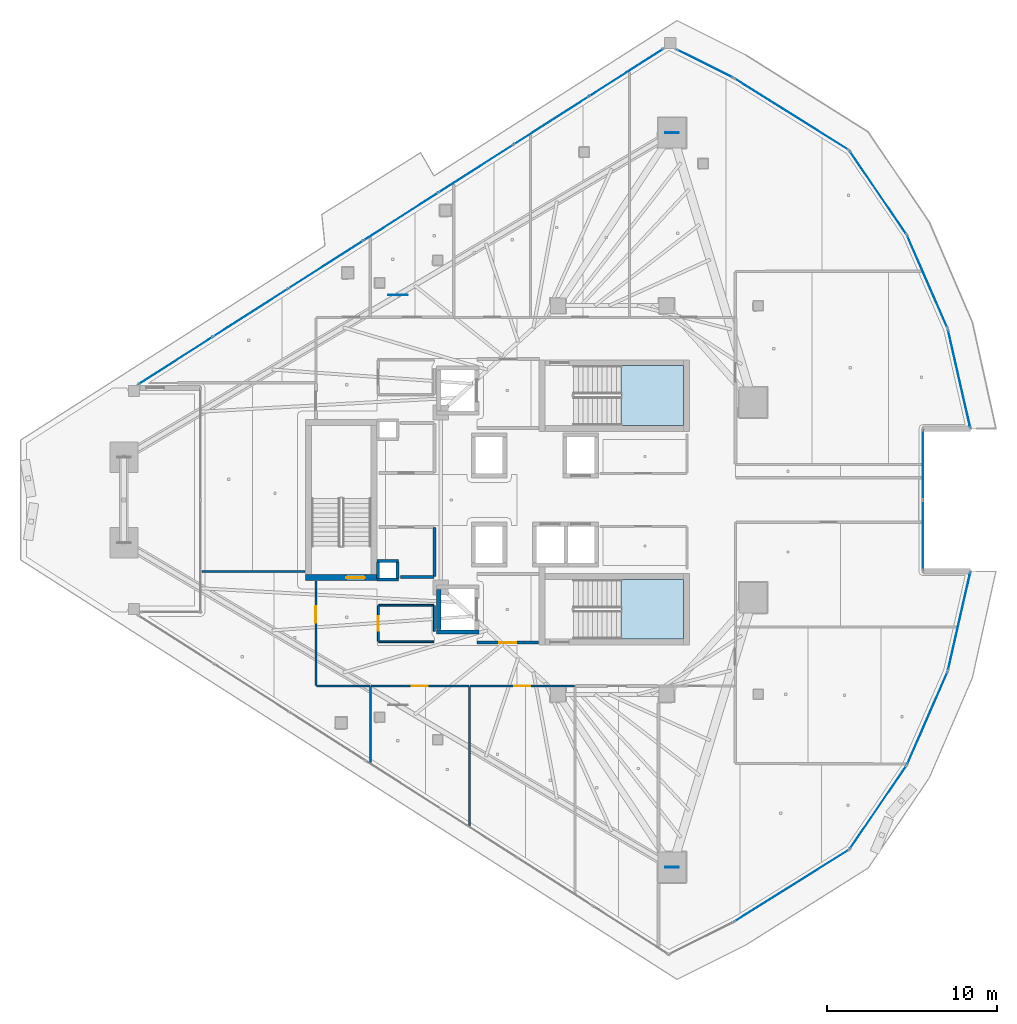
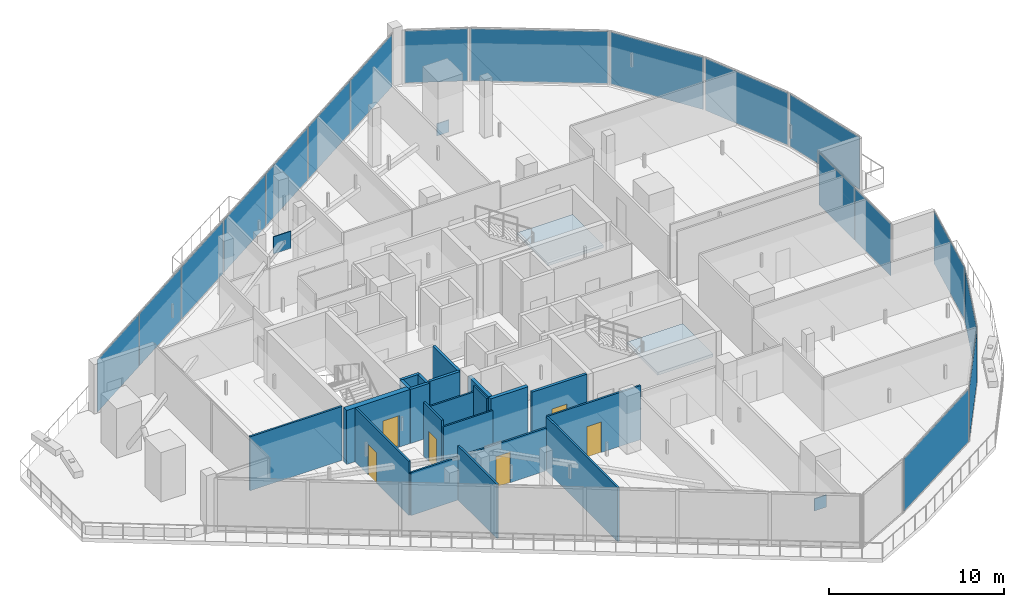
# One storey, part 28 of 40: 21 plates, 21 walls, 6 doors, 2 slabs, 6 openings, 13 elements without a shape of their own.
"""IFC4 building model written with IfcOpenShell, lengths in metres."""

from ifc_helpers import new_model, si_unit, direction, frame, frame_2d, origin, origin_2d, place, context, subcontext, project, spatial, polyline, rectangle, outline, extrude, material, layer, layer_set, type_object, element, fill, aggregate, save


model = new_model("IFC4")

# Units and contexts
model_context = context("Model", 3, precision=1e-05, world=origin(), true_north=direction((0.0, 1.0)))
body_context = subcontext(model_context, "Body", "Model", "MODEL_VIEW")
ifc_project = project(units=[si_unit("LENGTHUNIT", "METRE"), si_unit("AREAUNIT", "SQUARE_METRE"), si_unit("VOLUMEUNIT", "CUBIC_METRE"), si_unit("PLANEANGLEUNIT", "RADIAN"), si_unit("MASSUNIT", "GRAM", prefix="KILO")], contexts=[model_context])

# Site, building, storey
site_placement = place(None, origin())
site = spatial("IfcSite", under=ifc_project, at=site_placement, CompositionType="ELEMENT")
building_placement = place(site_placement, origin())
building = spatial("IfcBuilding", under=site, at=building_placement, Name="Qorvath Tower", CompositionType="ELEMENT")
storey_placement = place(building_placement, frame((0.0, 0.0, 225.300048828125)))
storey = spatial("IfcBuildingStorey", under=building, at=storey_placement, Name="L52", CompositionType="ELEMENT", Elevation=225.300048828125)

# Curtain wall, plate
ifc_material_1 = material(Name="Anodised aluminium and triple low-E glass", Category="aluminium")
ifc_layer_1 = layer(ifc_material_1, 0.179931640625)
ifc_layer_set_1 = layer_set([ifc_layer_1], Name="CW-SYS-5")
curtain_wall_type = type_object("IfcCurtainWallType", Name="CW-SYS-5", PredefinedType="NOTDEFINED", material=ifc_layer_set_1)
curtain_wall_1_placement = place(storey_placement, origin())
curtain_wall_1 = element("IfcCurtainWall", 1, at=curtain_wall_1_placement, inside=storey, type_object=curtain_wall_type, Name="Curtain Wall CW-5 CW-T-L52-6.1", PredefinedType="NOTDEFINED")
ifc_material_2 = material(Name="Low-E triple insulated glass", Category="glass")
ifc_layer_2 = layer(ifc_material_2, 0.031982421875)
ifc_layer_set_2 = layer_set([ifc_layer_2], Name="CWP-GLZ-32")
plate_type_1 = type_object("IfcPlateType", Name="CWP-GLZ-32", PredefinedType="CURTAIN_PANEL", material=ifc_layer_set_2)
plate_1_placement = place(storey_placement, frame((-9.841064453125, -22.728759765625, 0.06494140625), z_axis=(0.0, 0.0, 1.0), x_axis=(0.84765657487, 0.530545314822, 0.0)))
plate_1 = element("IfcPlate", 2, at=plate_1_placement, type_object=plate_type_1, Name="CW-5 panel 1.1", PredefinedType="CURTAIN_PANEL", context=body_context, shape_type="SweptSolid", body=[
    extrude(rectangle(XDim=7.893310546875, YDim=0.031982421875, at=origin_2d()), origin(), (0.0, 0.0, 1.0), 3.650146484375),
])
aggregate(curtain_wall_1, [plate_1])

curtain_wall_2_placement = place(storey_placement, origin())
curtain_wall_2 = element("IfcCurtainWall", 3, at=curtain_wall_2_placement, inside=storey, type_object=curtain_wall_type, Name="Curtain Wall CW-5 CW-T-L52-7.1", PredefinedType="NOTDEFINED")
plate_2_placement = place(storey_placement, frame((-4.73388671875, -18.10205078125, 0.06494140625), z_axis=(0.0, 0.0, 1.0), x_axis=(0.56295049099, 0.826490619847, 0.0)))
plate_2 = element("IfcPlate", 4, at=plate_2_placement, type_object=plate_type_1, Name="CW-5 panel 1.1", PredefinedType="CURTAIN_PANEL", context=body_context, shape_type="SweptSolid", body=[
    extrude(rectangle(XDim=5.8828125, YDim=0.031982421875, at=origin_2d()), origin(), (0.0, 0.0, 1.0), 3.650146484375),
])
aggregate(curtain_wall_2, [plate_2])

curtain_wall_3_placement = place(storey_placement, origin())
curtain_wall_3 = element("IfcCurtainWall", 5, at=curtain_wall_3_placement, inside=storey, type_object=curtain_wall_type, Name="Curtain Wall CW-5 CW-T-L52-8.1", PredefinedType="NOTDEFINED")
plate_3_placement = place(storey_placement, frame((-1.831298828125, -12.843505859375, 0.06494140625), z_axis=(0.0, 0.0, 1.0), x_axis=(0.399381828243, 0.916784683156, 0.0)))
plate_3 = element("IfcPlate", 6, at=plate_3_placement, type_object=plate_type_1, Name="CW-5 panel 1.1", PredefinedType="CURTAIN_PANEL", context=body_context, shape_type="SweptSolid", body=[
    extrude(rectangle(XDim=5.8828125, YDim=0.031982421875, at=origin_2d()), origin(), (0.0, 0.0, 1.0), 3.650146484375),
])
aggregate(curtain_wall_3, [plate_3])

curtain_wall_4_placement = place(storey_placement, origin())
curtain_wall_4 = element("IfcCurtainWall", 7, at=curtain_wall_4_placement, inside=storey, type_object=curtain_wall_type, Name="Curtain Wall CW-5 CW-T-L52-9.1", PredefinedType="NOTDEFINED")
plate_4_placement = place(storey_placement, frame((0.04296875, -7.136962890625, 0.06494140625), z_axis=(0.0, 0.0, 1.0), x_axis=(0.221970000777, 0.97505349533, 0.0)))
plate_4 = element("IfcPlate", 8, at=plate_4_placement, type_object=plate_type_1, Name="CW-5 panel 1.1", PredefinedType="CURTAIN_PANEL", context=body_context, shape_type="SweptSolid", body=[
    extrude(rectangle(XDim=5.8828125, YDim=0.031982421875, at=origin_2d()), origin(), (0.0, 0.0, 1.0), 3.650146484375),
])
aggregate(curtain_wall_4, [plate_4])

# Curtain wall, plates
curtain_wall_5_placement = place(storey_placement, origin())
curtain_wall_5 = element("IfcCurtainWall", 9, at=curtain_wall_5_placement, inside=storey, type_object=curtain_wall_type, Name="Curtain Wall CW-5 CW-T-L52-11.1", PredefinedType="NOTDEFINED")
plate_5_placement = place(storey_placement, frame((-2.08447265625, -2.0791015625, 0.06494140625), z_axis=(0.0, 0.0, 1.0), x_axis=(0.0, 1.0, 0.0)))
plate_5 = element("IfcPlate", 10, at=plate_5_placement, type_object=plate_type_1, Name="CW-5 panel 1.1", PredefinedType="CURTAIN_PANEL", context=body_context, shape_type="SweptSolid", body=[
    extrude(rectangle(XDim=4.083251953125, YDim=0.031982421875, at=origin_2d()), origin(), (0.0, 0.0, 1.0), 3.650146484375),
])
plate_6_placement = place(storey_placement, frame((-2.08447265625, 2.0791015625, 0.06494140625), z_axis=(0.0, 0.0, 1.0), x_axis=(0.0, 1.0, 0.0)))
plate_6 = element("IfcPlate", 11, at=plate_6_placement, type_object=plate_type_1, Name="CW-5 panel 2.1", PredefinedType="CURTAIN_PANEL", context=body_context, shape_type="SweptSolid", body=[
    extrude(rectangle(XDim=4.083251953125, YDim=0.031982421875, at=origin_2d()), origin(), (0.0, 0.0, 1.0), 3.650146484375),
])
aggregate(curtain_wall_5, [plate_5, plate_6])

# Curtain wall, plate
curtain_wall_6_placement = place(storey_placement, origin())
curtain_wall_6 = element("IfcCurtainWall", 12, at=curtain_wall_6_placement, inside=storey, type_object=curtain_wall_type, Name="Curtain Wall CW-5 CW-T-L52-13.1", PredefinedType="NOTDEFINED")
plate_7_placement = place(storey_placement, frame((0.04296875, 7.136962890625, 0.06494140625), z_axis=(0.0, 0.0, 1.0), x_axis=(-0.221970000777, 0.97505349533, 0.0)))
plate_7 = element("IfcPlate", 13, at=plate_7_placement, type_object=plate_type_1, Name="CW-5 panel 1.1", PredefinedType="CURTAIN_PANEL", context=body_context, shape_type="SweptSolid", body=[
    extrude(rectangle(XDim=5.8828125, YDim=0.031982421875, at=origin_2d()), origin(), (0.0, 0.0, 1.0), 3.650146484375),
])
aggregate(curtain_wall_6, [plate_7])

curtain_wall_7_placement = place(storey_placement, origin())
curtain_wall_7 = element("IfcCurtainWall", 14, at=curtain_wall_7_placement, inside=storey, type_object=curtain_wall_type, Name="Curtain Wall CW-5 CW-T-L52-14.1", PredefinedType="NOTDEFINED")
plate_8_placement = place(storey_placement, frame((-1.831298828125, 12.843505859375, 0.06494140625), z_axis=(0.0, 0.0, 1.0), x_axis=(-0.399381828243, 0.916784683156, 0.0)))
plate_8 = element("IfcPlate", 15, at=plate_8_placement, type_object=plate_type_1, Name="CW-5 panel 1.1", PredefinedType="CURTAIN_PANEL", context=body_context, shape_type="SweptSolid", body=[
    extrude(rectangle(XDim=5.8828125, YDim=0.031982421875, at=origin_2d()), origin(), (0.0, 0.0, 1.0), 3.650146484375),
])
aggregate(curtain_wall_7, [plate_8])

curtain_wall_8_placement = place(storey_placement, origin())
curtain_wall_8 = element("IfcCurtainWall", 16, at=curtain_wall_8_placement, inside=storey, type_object=curtain_wall_type, Name="Curtain Wall CW-5 CW-T-L52-15.1", PredefinedType="NOTDEFINED")
plate_9_placement = place(storey_placement, frame((-4.73388671875, 18.10205078125, 0.06494140625), z_axis=(0.0, 0.0, 1.0), x_axis=(-0.56295049099, 0.826490619847, 0.0)))
plate_9 = element("IfcPlate", 17, at=plate_9_placement, type_object=plate_type_1, Name="CW-5 panel 1.1", PredefinedType="CURTAIN_PANEL", context=body_context, shape_type="SweptSolid", body=[
    extrude(rectangle(XDim=5.8828125, YDim=0.031982421875, at=origin_2d()), origin(), (0.0, 0.0, 1.0), 3.650146484375),
])
aggregate(curtain_wall_8, [plate_9])

curtain_wall_9_placement = place(storey_placement, origin())
curtain_wall_9 = element("IfcCurtainWall", 18, at=curtain_wall_9_placement, inside=storey, type_object=curtain_wall_type, Name="Curtain Wall CW-5 CW-T-L52-16.1", PredefinedType="NOTDEFINED")
plate_10_placement = place(storey_placement, frame((-9.841064453125, 22.728759765625, 0.06494140625), z_axis=(0.0, 0.0, 1.0), x_axis=(-0.84765657487, 0.530545314822, 0.0)))
plate_10 = element("IfcPlate", 19, at=plate_10_placement, type_object=plate_type_1, Name="CW-5 panel 1.1", PredefinedType="CURTAIN_PANEL", context=body_context, shape_type="SweptSolid", body=[
    extrude(rectangle(XDim=7.893310546875, YDim=0.031982421875, at=origin_2d()), origin(), (0.0, 0.0, 1.0), 3.650146484375),
])
aggregate(curtain_wall_9, [plate_10])

curtain_wall_10_placement = place(storey_placement, origin())
curtain_wall_10 = element("IfcCurtainWall", 20, at=curtain_wall_10_placement, inside=storey, type_object=curtain_wall_type, Name="Curtain Wall CW-5 CW-T-L52-17.1", PredefinedType="NOTDEFINED")
plate_11_placement = place(storey_placement, frame((-14.94677734375, 25.710693359375, 0.06494140625), z_axis=(0.0, 0.0, 1.0), x_axis=(-0.894427191001, 0.447213595499, 0.0)))
plate_11 = element("IfcPlate", 21, at=plate_11_placement, type_object=plate_type_1, Name="CW-5 panel 1.1", PredefinedType="CURTAIN_PANEL", context=body_context, shape_type="SweptSolid", body=[
    extrude(rectangle(XDim=3.64404296875, YDim=0.031982421875, at=origin_2d()), origin(), (0.0, 0.0, 1.0), 3.650146484375),
])
aggregate(curtain_wall_10, [plate_11])

# Curtain wall, plates
curtain_wall_11_placement = place(storey_placement, origin())
curtain_wall_11 = element("IfcCurtainWall", 22, at=curtain_wall_11_placement, inside=storey, type_object=curtain_wall_type, Name="Curtain Wall CW-5 CW-T-L52-18.1", PredefinedType="NOTDEFINED")
plate_12_placement = place(storey_placement, frame((-19.580322265625, 25.173828125, 0.06494140625), z_axis=(0.0, 0.0, 1.0), x_axis=(-0.842605634803, -0.538531098636, 0.0)))
plate_12 = element("IfcPlate", 23, at=plate_12_placement, type_object=plate_type_1, Name="CW-5 panel 1.1", PredefinedType="CURTAIN_PANEL", context=body_context, shape_type="SweptSolid", body=[
    extrude(rectangle(XDim=5.140869140625, YDim=0.031982421875, at=origin_2d()), origin(), (0.0, 0.0, 1.0), 3.650146484375),
])
plate_13_placement = place(storey_placement, frame((-23.990966796875, 22.354736328125, 0.06494140625), z_axis=(0.0, 0.0, 1.0), x_axis=(-0.842605634803, -0.538531098636, 0.0)))
plate_13 = element("IfcPlate", 24, at=plate_13_placement, type_object=plate_type_1, Name="CW-5 panel 2.1", PredefinedType="CURTAIN_PANEL", context=body_context, shape_type="SweptSolid", body=[
    extrude(rectangle(XDim=5.178466796875, YDim=0.031982421875, at=origin_2d()), origin(), (0.0, 0.0, 1.0), 3.650146484375),
])
plate_14_placement = place(storey_placement, frame((-28.41748046875, 19.525634765625, 0.06494140625), z_axis=(0.0, 0.0, 1.0), x_axis=(-0.842605634803, -0.538531098636, 0.0)))
plate_14 = element("IfcPlate", 25, at=plate_14_placement, type_object=plate_type_1, Name="CW-5 panel 3.1", PredefinedType="CURTAIN_PANEL", context=body_context, shape_type="SweptSolid", body=[
    extrude(rectangle(XDim=5.178466796875, YDim=0.031982421875, at=origin_2d()), origin(), (0.0, 0.0, 1.0), 3.650146484375),
])
plate_15_placement = place(storey_placement, frame((-32.843994140625, 16.696533203125, 0.06494140625), z_axis=(0.0, 0.0, 1.0), x_axis=(-0.842605634803, -0.538531098636, 0.0)))
plate_15 = element("IfcPlate", 26, at=plate_15_placement, type_object=plate_type_1, Name="CW-5 panel 4.1", PredefinedType="CURTAIN_PANEL", context=body_context, shape_type="SweptSolid", body=[
    extrude(rectangle(XDim=5.178466796875, YDim=0.031982421875, at=origin_2d()), origin(), (0.0, 0.0, 1.0), 3.650146484375),
])
plate_16_placement = place(storey_placement, frame((-37.2705078125, 13.867431640625, 0.06494140625), z_axis=(0.0, 0.0, 1.0), x_axis=(-0.842605634803, -0.538531098636, 0.0)))
plate_16 = element("IfcPlate", 27, at=plate_16_placement, type_object=plate_type_1, Name="CW-5 panel 5.1", PredefinedType="CURTAIN_PANEL", context=body_context, shape_type="SweptSolid", body=[
    extrude(rectangle(XDim=5.178466796875, YDim=0.031982421875, at=origin_2d()), origin(), (0.0, 0.0, 1.0), 3.650146484375),
])
plate_17_placement = place(storey_placement, frame((-41.697021484375, 11.038330078125, 0.06494140625), z_axis=(0.0, 0.0, 1.0), x_axis=(-0.842605634803, -0.538531098636, 0.0)))
plate_17 = element("IfcPlate", 28, at=plate_17_placement, type_object=plate_type_1, Name="CW-5 panel 6.1", PredefinedType="CURTAIN_PANEL", context=body_context, shape_type="SweptSolid", body=[
    extrude(rectangle(XDim=5.178466796875, YDim=0.031982421875, at=origin_2d()), origin(), (0.0, 0.0, 1.0), 3.650146484375),
])
plate_18_placement = place(storey_placement, frame((-46.10791015625, 8.21923828125, 0.06494140625), z_axis=(0.0, 0.0, 1.0), x_axis=(-0.842605634803, -0.538531098636, 0.0)))
plate_18 = element("IfcPlate", 29, at=plate_18_placement, type_object=plate_type_1, Name="CW-5 panel 7.1", PredefinedType="CURTAIN_PANEL", context=body_context, shape_type="SweptSolid", body=[
    extrude(rectangle(XDim=5.140869140625, YDim=0.031982421875, at=origin_2d()), origin(), (0.0, 0.0, 1.0), 3.650146484375),
])
aggregate(curtain_wall_11, [plate_12, plate_13, plate_14, plate_15, plate_16, plate_17, plate_18])

# Plates
ifc_material_3 = material(Name="Steel ASTM A572 Grade 50", Category="steel")
ifc_layer_3 = layer(ifc_material_3, 0.054931640625)
ifc_layer_set_3 = layer_set([ifc_layer_3], Name="PL-MBN1")
plate_type_2 = type_object("IfcPlateType", Name="PL-MBN1", PredefinedType="USERDEFINED", material=ifc_layer_set_3)
plate_19_placement = place(storey_placement, frame((-33.021728515625, 12.077392578125, 2.830078125), z_axis=(0.0, 0.0, 1.0), x_axis=(1.0, 0.0, 0.0)))
element("IfcPlate", 30, at=plate_19_placement, inside=storey, type_object=plate_type_2, Name="Mega-Brace Chevron Apex Gusset L52-1", ObjectType="GUSSET", PredefinedType="USERDEFINED", context=body_context, shape_type="SweptSolid", body=[
    extrude(rectangle(XDim=1.14990234375, YDim=0.054931640625, at=origin_2d()), origin(), (0.0, 0.0, 1.0), 1.199951171875),
])
for number, where, z_axis, x_axis, name in (
    (31, (-16.87158203125, 21.627197265625, -0.425048828125), (0.0, 0.0, 1.0), (1.0, 0.0, 0.0), "Brace Strut End Gusset Plate NDBG-109"),
    (32, (-16.87158203125, -21.627197265625, -0.425048828125), (0.0, 0.0, 1.0), (1.0, 0.0, 0.0), "Brace Strut End Gusset Plate NDBG-112"),
):
    element("IfcPlate", number, at=place(storey_placement, frame(where, z_axis=z_axis, x_axis=x_axis)), inside=storey, type_object=plate_type_2, Name=name, ObjectType="GUSSET", PredefinedType="USERDEFINED", context=body_context, shape_type="SweptSolid", body=[
        extrude(rectangle(XDim=0.800048828125, YDim=0.054931640625, at=origin_2d()), origin(), (0.0, 0.0, 1.0), 0.85009765625),
    ])

# Stair, slab
ifc_material_4 = material(Name="Concrete C50/60", Category="concrete")
stair_type = type_object("IfcStairType", Name="ST-H405", PredefinedType="HALF_TURN_STAIR", material=ifc_material_4)
stair_1_placement = place(storey_placement, origin())
stair_1 = element("IfcStair", 33, at=stair_1_placement, inside=storey, type_object=stair_type, Name="L52 Tower Exit Stair 1", PredefinedType="HALF_TURN_STAIR")
ifc_material_5 = material(Name="Concrete C50/60", Category="concrete")
ifc_layer_4 = layer(ifc_material_5, 0.199951171875)
ifc_layer_set_4 = layer_set([ifc_layer_4], Name="SL-LND-200")
slab_type = type_object("IfcSlabType", Name="SL-LND-200", PredefinedType="LANDING", material=ifc_layer_set_4)
slab_1_placement = place(storey_placement, frame((0.0, 0.0, 1.824951171875)))
slab_1 = element("IfcSlab", 34, at=slab_1_placement, type_object=slab_type, Name="TS1 landing 1", PredefinedType="LANDING", context=body_context, shape_type="SweptSolid", body=[
    extrude(outline(polyline([(-19.8701171875, 4.39990234375), (-16.199951171875, 4.39990234375), (-16.199951171875, 7.909912109375), (-19.8701171875, 7.909912109375), (-19.8701171875, 4.39990234375)])), origin(), (0.0, 0.0, 1.0), 0.199951171875),
])
aggregate(stair_1, [slab_1])

stair_2_placement = place(storey_placement, origin())
stair_2 = element("IfcStair", 35, at=stair_2_placement, inside=storey, type_object=stair_type, Name="L52 Tower Exit Stair 2", PredefinedType="HALF_TURN_STAIR")
slab_2_placement = place(storey_placement, frame((0.0, 0.0, 1.824951171875)))
slab_2 = element("IfcSlab", 36, at=slab_2_placement, type_object=slab_type, Name="TS2 landing 1", PredefinedType="LANDING", context=body_context, shape_type="SweptSolid", body=[
    extrude(outline(polyline([(-19.8701171875, -8.199951171875), (-16.199951171875, -8.199951171875), (-16.199951171875, -4.68994140625), (-19.8701171875, -4.68994140625), (-19.8701171875, -8.199951171875)])), origin(), (0.0, 0.0, 1.0), 0.199951171875),
])
aggregate(stair_2, [slab_2])

# Walls
ifc_material_6 = material(Name="Gypsum shaftliner on steel studs", Category="steel")
ifc_layer_5 = layer(ifc_material_6, 0.179931640625)
ifc_layer_set_5 = layer_set([ifc_layer_5], Name="FW-LOBBY")
wall_type_1 = type_object("IfcWallType", Name="FW-LOBBY", PredefinedType="PARTITIONING", material=ifc_layer_set_5)
for number, where, z_axis, x_axis, name in (
    (37, (-32.989990234375, -4.675048828125, 0.0), (0.0, 0.0, 1.0), (-1.0, 0.0, 0.0), "MEP Riser Shaft Enclosure Wall S-L52-S"),
    (38, (-34.260009765625, -3.594970703125, 0.0), (0.0, 0.0, 1.0), (1.0, 0.0, 0.0), "MEP Riser Shaft Enclosure Wall S-L52-N"),
):
    element("IfcWall", number, at=place(storey_placement, frame(where, z_axis=z_axis, x_axis=x_axis)), inside=storey, type_object=wall_type_1, Name=name, PredefinedType="PARTITIONING", context=body_context, shape_type="SweptSolid", body=[
        extrude(rectangle(XDim=1.27001953125, YDim=0.179931640625, at=frame_2d((0.635009765625, 0.0))), origin(), (0.0, 0.0, 1.0), 3.780029296875),
    ])
for number, where, z_axis, x_axis, name in (
    (39, (-34.205078125, -4.610107421875, 0.0), (0.0, 0.0, 1.0), (0.0, 1.0, 0.0), "MEP Riser Shaft Enclosure Wall S-L52-W"),
    (40, (-33.044921875, -3.659912109375, 0.0), (0.0, 0.0, 1.0), (0.0, -1.0, 0.0), "MEP Riser Shaft Enclosure Wall S-L52-E"),
):
    element("IfcWall", number, at=place(storey_placement, frame(where, z_axis=z_axis, x_axis=x_axis)), inside=storey, type_object=wall_type_1, Name=name, PredefinedType="PARTITIONING", context=body_context, shape_type="SweptSolid", body=[
        extrude(rectangle(XDim=0.9501953125, YDim=0.179931640625, at=frame_2d((0.47509765625, 0.0))), origin(), (0.0, 0.0, 1.0), 3.780029296875),
    ])

# Wall, opening, door
wall_1_placement = place(storey_placement, frame((-28.35498046875, -8.39990234375, 0.0), z_axis=(0.0, 0.0, 1.0), x_axis=(1.0, 0.0, 0.0)))
wall_1 = element("IfcWall", 41, at=wall_1_placement, inside=storey, type_object=wall_type_1, Name="Interior Partition IW-T1-L52-003", PredefinedType="PARTITIONING", context=body_context, shape_type="SweptSolid", body=[
    extrude(rectangle(XDim=3.6220703125, YDim=0.179931640625, at=frame_2d((1.81103515625, 0.0))), origin(), (0.0, 0.0, 1.0), 3.780029296875),
])
opening_1_placement = place(wall_1_placement, frame((1.31103515625, 0.0, 0.0)))
opening_1 = element("IfcOpeningElement", 42, at=opening_1_placement, cuts=wall_1, Name="Opening D-T1-L52-22", PredefinedType="OPENING", context=body_context, shape_type="SweptSolid", body=[
    extrude(rectangle(XDim=1.0, YDim=2.14990234375, at=frame_2d((0.5, 1.074951171875))), frame((0.0, 0.10009765625, 0.0), z_axis=(0.0, -1.0, 0.0), x_axis=(1.0, 0.0, 0.0)), (0.0, 0.0, 1.0), 0.199951171875),
])
ifc_material_7 = material(Name="Painted galvanised hollow metal", Category="steel")
door_type_1 = type_object("IfcDoorType", Name="FD-60", OperationType="NOTDEFINED", PredefinedType="DOOR", material=ifc_material_7)
door_1_placement = place(opening_1_placement, origin())
door_1 = element("IfcDoor", 43, at=door_1_placement, inside=storey, type_object=door_type_1, Name="Lobby Fire Service Elevator South Door D-T1-L52-22", OperationType="SINGLE_SWING_LEFT", OverallHeight=2.14990234375, OverallWidth=1.0, PredefinedType="DOOR", context=body_context, shape_type="SweptSolid", body=[
    extrude(rectangle(XDim=1.0, YDim=2.14990234375, at=frame_2d((0.5, 1.074951171875))), frame((0.0, 0.02490234375, 0.0), z_axis=(0.0, -1.0, 0.0), x_axis=(1.0, 0.0, 0.0)), (0.0, 0.0, 1.0), 0.050048828125),
])
fill(opening_1, door_1)

# Walls
wall_2_placement = place(storey_placement, frame((-32.8798828125, -4.5400390625, 0.0), z_axis=(0.0, 0.0, 1.0), x_axis=(1.0, 0.0, 0.0)))
element("IfcWall", 44, at=wall_2_placement, inside=storey, type_object=wall_type_1, Name="Interior Partition IW-T1-L52-020", PredefinedType="PARTITIONING", context=body_context, shape_type="SweptSolid", body=[
    extrude(rectangle(XDim=1.97509765625, YDim=0.179931640625, at=frame_2d((0.987548828125, 0.0))), origin(), (0.0, 0.0, 1.0), 3.780029296875),
])
wall_3_placement = place(storey_placement, frame((-30.8798828125, -4.514892578125, 0.0), z_axis=(0.0, 0.0, 1.0), x_axis=(0.0, 1.0, 0.0)))
element("IfcWall", 45, at=wall_3_placement, inside=storey, type_object=wall_type_1, Name="Interior Partition IW-T1-L52-021", PredefinedType="PARTITIONING", context=body_context, shape_type="SweptSolid", body=[
    extrude(rectangle(XDim=2.889892578125, YDim=0.179931640625, at=frame_2d((1.44482421875, 0.0))), origin(), (0.0, 0.0, 1.0), 3.780029296875),
])

# Wall, opening, door
ifc_material_8 = material(Name="Gypsum board on metal studs with mineral wool", Category="gypsum")
ifc_layer_6 = layer(ifc_material_8, 0.125)
ifc_layer_set_6 = layer_set([ifc_layer_6], Name="IW-PART-125")
wall_type_2 = type_object("IfcWallType", Name="IW-PART-125", PredefinedType="PARTITIONING", material=ifc_layer_set_6)
wall_4_placement = place(storey_placement, frame((-28.8359375, -10.9580078125, 0.0), z_axis=(0.0, 0.0, 1.0), x_axis=(-1.0, 0.0, 0.0)))
wall_4 = element("IfcWall", 46, at=wall_4_placement, inside=storey, type_object=wall_type_2, Name="Interior Partition IW-T1-L52-033", PredefinedType="PARTITIONING", context=body_context, shape_type="SweptSolid", body=[
    extrude(rectangle(XDim=5.7890625, YDim=0.125, at=frame_2d((2.89453125, 0.0))), origin(), (0.0, 0.0, 1.0), 3.0),
])
opening_2_placement = place(wall_4_placement, frame((2.41943359375, 0.0, 0.0)))
opening_2 = element("IfcOpeningElement", 47, at=opening_2_placement, cuts=wall_4, Name="Opening D-T1-L52-11", PredefinedType="OPENING", context=body_context, shape_type="SweptSolid", body=[
    extrude(rectangle(XDim=0.949951171875, YDim=2.14990234375, at=frame_2d((0.47509765625, 1.074951171875))), frame((0.0, 0.072509765625, 0.0), z_axis=(0.0, -1.0, 0.0), x_axis=(1.0, 0.0, 0.0)), (0.0, 0.0, 1.0), 0.14501953125),
])
ifc_material_9 = material(Name="Solid-core American white oak veneer", Category="wood")
door_type_2 = type_object("IfcDoorType", Name="D-01", OperationType="NOTDEFINED", PredefinedType="DOOR", material=ifc_material_9)
door_2_placement = place(opening_2_placement, origin())
door_2 = element("IfcDoor", 48, at=door_2_placement, inside=storey, type_object=door_type_2, Name="L52-05 Executive Partner Office Door D-T1-L52-11", OperationType="SINGLE_SWING_RIGHT", OverallHeight=2.14990234375, OverallWidth=0.949951171875, PredefinedType="DOOR", context=body_context, shape_type="SweptSolid", body=[
    extrude(rectangle(XDim=0.949951171875, YDim=2.14990234375, at=frame_2d((0.47509765625, 1.074951171875))), frame((0.0, 0.02490234375, 0.0), z_axis=(0.0, -1.0, 0.0), x_axis=(1.0, 0.0, 0.0)), (0.0, 0.0, 1.0), 0.050048828125),
])
fill(opening_2, door_2)

# Walls
wall_5_placement = place(storey_placement, frame((-34.64990234375, -10.98291015625, 0.0), z_axis=(0.0, 0.0, 1.0), x_axis=(0.0, -1.0, 0.0)))
element("IfcWall", 49, at=wall_5_placement, inside=storey, type_object=wall_type_2, Name="Interior Partition IW-T1-L52-034", PredefinedType="PARTITIONING", context=body_context, shape_type="SweptSolid", body=[
    extrude(rectangle(XDim=4.479248046875, YDim=0.125, at=frame_2d((2.23974609375, 0.0))), origin(), (0.0, 0.0, 1.0), 3.780029296875),
])
wall_6_placement = place(storey_placement, frame((-28.81103515625, -19.194091796875, 0.0), z_axis=(0.0, 0.0, 1.0), x_axis=(0.0, 1.0, 0.0)))
element("IfcWall", 50, at=wall_6_placement, inside=storey, type_object=wall_type_2, Name="Interior Partition IW-T1-L52-035", PredefinedType="PARTITIONING", context=body_context, shape_type="SweptSolid", body=[
    extrude(rectangle(XDim=8.211181640625, YDim=0.125, at=frame_2d((4.10546875, 0.0))), origin(), (0.0, 0.0, 1.0), 3.780029296875),
])

# Wall, opening, door
wall_7_placement = place(storey_placement, frame((-22.6123046875, -10.9580078125, 0.0), z_axis=(0.0, 0.0, 1.0), x_axis=(-1.0, 0.0, 0.0)))
wall_7 = element("IfcWall", 51, at=wall_7_placement, inside=storey, type_object=wall_type_2, Name="Interior Partition IW-T1-L52-036", PredefinedType="PARTITIONING", context=body_context, shape_type="SweptSolid", body=[
    extrude(rectangle(XDim=6.166015625, YDim=0.125, at=frame_2d((3.0830078125, 0.0))), origin(), (0.0, 0.0, 1.0), 3.780029296875),
])
opening_3_placement = place(wall_7_placement, frame((2.60791015625, 0.0, 0.0)))
opening_3 = element("IfcOpeningElement", 52, at=opening_3_placement, cuts=wall_7, Name="Opening D-T1-L52-12", PredefinedType="OPENING", context=body_context, shape_type="SweptSolid", body=[
    extrude(rectangle(XDim=0.949951171875, YDim=2.14990234375, at=frame_2d((0.47509765625, 1.074951171875))), frame((0.0, 0.072509765625, 0.0), z_axis=(0.0, -1.0, 0.0), x_axis=(1.0, 0.0, 0.0)), (0.0, 0.0, 1.0), 0.14501953125),
])
door_3_placement = place(opening_3_placement, origin())
door_3 = element("IfcDoor", 53, at=door_3_placement, inside=storey, type_object=door_type_2, Name="L52-06 Breakout Reading Alcove Door D-T1-L52-12", OperationType="SINGLE_SWING_LEFT", OverallHeight=2.14990234375, OverallWidth=0.949951171875, PredefinedType="DOOR", context=body_context, shape_type="SweptSolid", body=[
    extrude(rectangle(XDim=0.949951171875, YDim=2.14990234375, at=frame_2d((0.47509765625, 1.074951171875))), frame((0.0, 0.02490234375, 0.0), z_axis=(0.0, -1.0, 0.0), x_axis=(1.0, 0.0, 0.0)), (0.0, 0.0, 1.0), 0.050048828125),
])
fill(opening_3, door_3)

# Wall
wall_8_placement = place(storey_placement, frame((-37.8330078125, -10.9580078125, 0.0), z_axis=(0.0, 0.0, 1.0), x_axis=(1.0, 0.0, 0.0)))
element("IfcWall", 54, at=wall_8_placement, inside=storey, type_object=wall_type_2, Name="Interior Partition IW-T1-L52-051", PredefinedType="PARTITIONING", context=body_context, shape_type="SweptSolid", body=[
    extrude(rectangle(XDim=3.14990234375, YDim=0.125, at=frame_2d((1.574951171875, 0.0))), origin(), (0.0, 0.0, 1.0), 3.0),
])

# Wall, opening, door
wall_9_placement = place(storey_placement, frame((-37.85791015625, -10.93310546875, 0.0), z_axis=(0.0, 0.0, 1.0), x_axis=(0.0, 1.0, 0.0)))
wall_9 = element("IfcWall", 55, at=wall_9_placement, inside=storey, type_object=wall_type_2, Name="Interior Partition IW-T1-L52-052", PredefinedType="PARTITIONING", context=body_context, shape_type="SweptSolid", body=[
    extrude(rectangle(XDim=6.14990234375, YDim=0.125, at=frame_2d((3.074951171875, 0.0))), origin(), (0.0, 0.0, 1.0), 3.780029296875),
])
opening_4_placement = place(wall_9_placement, frame((3.714111328125, 0.0, 0.0)))
opening_4 = element("IfcOpeningElement", 56, at=opening_4_placement, cuts=wall_9, Name="Opening D-T1-L52-18", PredefinedType="OPENING", context=body_context, shape_type="SweptSolid", body=[
    extrude(rectangle(XDim=0.949951171875, YDim=2.14990234375, at=frame_2d((0.47509765625, 1.074951171875))), frame((0.0, 0.072509765625, 0.0), z_axis=(0.0, -1.0, 0.0), x_axis=(1.0, 0.0, 0.0)), (0.0, 0.0, 1.0), 0.14501953125),
])
door_4_placement = place(opening_4_placement, origin())
door_4 = element("IfcDoor", 57, at=door_4_placement, inside=storey, type_object=door_type_2, Name="L52-12 Staff Refreshment Pantry and Coffee Bar Door D-T1-L52-18", OperationType="SINGLE_SWING_LEFT", OverallHeight=2.14990234375, OverallWidth=0.949951171875, PredefinedType="DOOR", context=body_context, shape_type="SweptSolid", body=[
    extrude(rectangle(XDim=0.949951171875, YDim=2.14990234375, at=frame_2d((0.47509765625, 1.074951171875))), frame((0.0, 0.02490234375, 0.0), z_axis=(0.0, -1.0, 0.0), x_axis=(1.0, 0.0, 0.0)), (0.0, 0.0, 1.0), 0.050048828125),
])
fill(opening_4, door_4)

# Wall
wall_10_placement = place(storey_placement, frame((-38.492919921875, -4.204833984375, 0.0), z_axis=(0.0, 0.0, 1.0), x_axis=(-1.0, 0.0, 0.0)))
element("IfcWall", 58, at=wall_10_placement, inside=storey, type_object=wall_type_2, Name="Interior Partition IW-T1-L52-053", PredefinedType="PARTITIONING", context=body_context, shape_type="SweptSolid", body=[
    extrude(rectangle(XDim=6.0751953125, YDim=0.125, at=frame_2d((3.03759765625, 0.0))), origin(), (0.0, 0.0, 1.0), 3.780029296875),
])

# Wall, opening, door
ifc_material_10 = material(Name="Moisture-resistant cement board on metal studs", Category="gypsum")
ifc_layer_7 = layer(ifc_material_10, 0.110107421875)
ifc_layer_set_7 = layer_set([ifc_layer_7], Name="IW-WC-110")
wall_type_3 = type_object("IfcWallType", Name="IW-WC-110", PredefinedType="PARTITIONING", material=ifc_layer_set_7)
wall_11_placement = place(storey_placement, frame((-34.179931640625, -6.22509765625, 0.0), z_axis=(0.0, 0.0, 1.0), x_axis=(0.0, -1.0, 0.0)))
wall_11 = element("IfcWall", 59, at=wall_11_placement, inside=storey, type_object=wall_type_3, Name="Interior Partition IW-T1-L52-009", PredefinedType="PARTITIONING", context=body_context, shape_type="SweptSolid", body=[
    extrude(rectangle(XDim=2.10009765625, YDim=0.110107421875, at=frame_2d((1.050048828125, 0.0))), origin(), (0.0, 0.0, 1.0), 3.780029296875),
])
opening_5_placement = place(wall_11_placement, frame((0.610107421875, 0.0, 0.0)))
opening_5 = element("IfcOpeningElement", 60, at=opening_5_placement, cuts=wall_11, Name="Opening D-T1-L52-02", PredefinedType="OPENING", context=body_context, shape_type="SweptSolid", body=[
    extrude(rectangle(XDim=0.8798828125, YDim=2.10009765625, at=frame_2d((0.43994140625, 1.050048828125))), frame((0.0, 0.06494140625, 0.0), z_axis=(0.0, -1.0, 0.0), x_axis=(1.0, 0.0, 0.0)), (0.0, 0.0, 1.0), 0.130126953125),
])
ifc_material_11 = material(Name="Solid-core oak with acoustic drop seal", Category="wood")
door_type_3 = type_object("IfcDoorType", Name="D-02", OperationType="NOTDEFINED", PredefinedType="DOOR", material=ifc_material_11)
door_5_placement = place(opening_5_placement, origin())
door_5 = element("IfcDoor", 61, at=door_5_placement, inside=storey, type_object=door_type_3, Name="Accessible WC South L52 Door D-T1-L52-02", OperationType="SINGLE_SWING_LEFT", OverallHeight=2.10009765625, OverallWidth=0.8798828125, PredefinedType="DOOR", context=body_context, shape_type="SweptSolid", body=[
    extrude(rectangle(XDim=0.8798828125, YDim=2.10009765625, at=frame_2d((0.43994140625, 1.050048828125))), frame((0.0, 0.02490234375, 0.0), z_axis=(0.0, -1.0, 0.0), x_axis=(1.0, 0.0, 0.0)), (0.0, 0.0, 1.0), 0.050048828125),
])
fill(opening_5, door_5)

# Walls
wall_12_placement = place(storey_placement, frame((-34.15478515625, -8.35009765625, 0.0), z_axis=(0.0, 0.0, 1.0), x_axis=(1.0, 0.0, 0.0)))
element("IfcWall", 62, at=wall_12_placement, inside=storey, type_object=wall_type_3, Name="Interior Partition IW-T1-L52-010", PredefinedType="PARTITIONING", context=body_context, shape_type="SweptSolid", body=[
    extrude(rectangle(XDim=3.25, YDim=0.110107421875, at=frame_2d((1.625, 0.0))), origin(), (0.0, 0.0, 1.0), 3.34423828125),
])
wall_13_placement = place(storey_placement, frame((-30.8798828125, -7.742919921875, 0.0), z_axis=(0.0, 0.0, 1.0), x_axis=(0.0, 1.0, 0.0)))
element("IfcWall", 63, at=wall_13_placement, inside=storey, type_object=wall_type_3, Name="Interior Partition IW-T1-L52-011", PredefinedType="PARTITIONING", context=body_context, shape_type="SweptSolid", body=[
    extrude(rectangle(XDim=1.517822265625, YDim=0.110107421875, at=frame_2d((0.7587890625, 0.0))), origin(), (0.0, 0.0, 1.0), 3.780029296875),
])
wall_14_placement = place(storey_placement, frame((-30.90478515625, -6.199951171875, 0.0), z_axis=(0.0, 0.0, 1.0), x_axis=(-1.0, 0.0, 0.0)))
element("IfcWall", 64, at=wall_14_placement, inside=storey, type_object=wall_type_3, Name="Interior Partition IW-T1-L52-012", PredefinedType="PARTITIONING", context=body_context, shape_type="SweptSolid", body=[
    extrude(rectangle(XDim=3.25, YDim=0.110107421875, at=frame_2d((1.625, 0.0))), origin(), (0.0, 0.0, 1.0), 3.34423828125),
])
ifc_material_12 = material(Name="Concrete C60/75", Category="concrete")
ifc_layer_8 = layer(ifc_material_12, 0.260009765625)
ifc_layer_set_8 = layer_set([ifc_layer_8], Name="SW-SHAFT")
wall_type_4 = type_object("IfcWallType", Name="SW-SHAFT", PredefinedType="SHEAR", material=ifc_layer_set_8)
wall_15_placement = place(storey_placement, frame((-28.260009765625, -7.77001953125, 0.0), z_axis=(0.0, 0.0, 1.0), x_axis=(-1.0, 0.0, 0.0)))
element("IfcWall", 65, at=wall_15_placement, inside=storey, type_object=wall_type_4, Name="Hoistway Wall FSAE-2 L52 S", PredefinedType="SHEAR", context=body_context, shape_type="SweptSolid", body=[
    extrude(rectangle(XDim=2.47998046875, YDim=0.239990234375, at=frame_2d((1.239990234375, 0.0))), origin(), (0.0, 0.0, 1.0), 3.780029296875),
])
wall_16_placement = place(storey_placement, frame((-30.6201171875, -7.637939453125, 0.0), z_axis=(0.0, 0.0, 1.0), x_axis=(0.0, 1.0, 0.0)))
element("IfcWall", 66, at=wall_16_placement, inside=storey, type_object=wall_type_4, Name="Hoistway Wall FSAE-2 L52 W", PredefinedType="SHEAR", context=body_context, shape_type="SweptSolid", body=[
    extrude(rectangle(XDim=2.3759765625, YDim=0.239990234375, at=frame_2d((1.18798828125, 0.0))), origin(), (0.0, 0.0, 1.0), 3.780029296875),
])

# Wall, opening, door
ifc_material_13 = material(Name="Concrete C60/75", Category="concrete")
ifc_layer_9 = layer(ifc_material_13, 0.35009765625)
ifc_layer_set_9 = layer_set([ifc_layer_9], Name="SW-STAIR")
wall_type_5 = type_object("IfcWallType", Name="SW-STAIR", PredefinedType="SHEAR", material=ifc_layer_set_9)
wall_17_placement = place(storey_placement, frame((-38.4599609375, -4.574951171875, 0.0), z_axis=(0.0, 0.0, 1.0), x_axis=(1.0, 0.0, 0.0)))
wall_17 = element("IfcWall", 67, at=wall_17_placement, inside=storey, type_object=wall_type_5, Name="Stair TS3 Shear Wall L52 NEAR", PredefinedType="SHEAR", context=body_context, shape_type="SweptSolid", body=[
    extrude(rectangle(XDim=4.2099609375, YDim=0.35009765625, at=frame_2d((2.10498046875, 0.0))), origin(), (0.0, 0.0, 1.0), 3.780029296875),
])
opening_6_placement = place(wall_17_placement, frame((2.389892578125, 0.0, 0.0)))
opening_6 = element("IfcOpeningElement", 68, at=opening_6_placement, cuts=wall_17, Name="Opening D-TS3-L52", PredefinedType="OPENING", context=body_context, shape_type="SweptSolid", body=[
    extrude(rectangle(XDim=1.10009765625, YDim=2.199951171875, at=frame_2d((0.550048828125, 1.10009765625))), frame((0.0, 0.18505859375, 0.0), z_axis=(0.0, -1.0, 0.0), x_axis=(1.0, 0.0, 0.0)), (0.0, 0.0, 1.0), 0.3701171875),
])
ifc_material_14 = material(Name="Painted galvanised hollow metal", Category="steel")
door_type_4 = type_object("IfcDoorType", Name="FD-90", OperationType="NOTDEFINED", PredefinedType="DOOR", material=ifc_material_14)
door_6_placement = place(opening_6_placement, origin())
door_6 = element("IfcDoor", 69, at=door_6_placement, inside=storey, type_object=door_type_4, Name="Stair TS3 Fire Door L52", OperationType="SINGLE_SWING_LEFT", OverallHeight=2.199951171875, OverallWidth=1.10009765625, PredefinedType="DOOR", context=body_context, shape_type="SweptSolid", body=[
    extrude(rectangle(XDim=1.10009765625, YDim=2.199951171875, at=frame_2d((0.550048828125, 1.10009765625))), frame((0.0, 0.02490234375, 0.0), z_axis=(0.0, -1.0, 0.0), x_axis=(1.0, 0.0, 0.0)), (0.0, 0.0, 1.0), 0.050048828125),
])
fill(opening_6, door_6)

save(model, "model.ifc")
